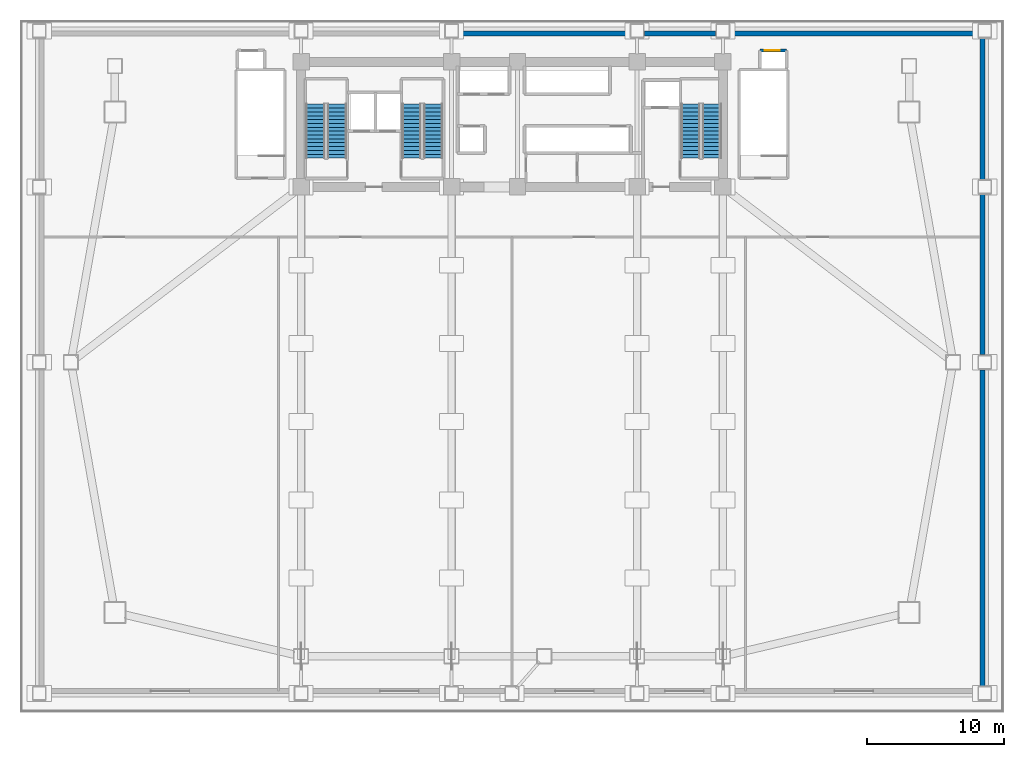
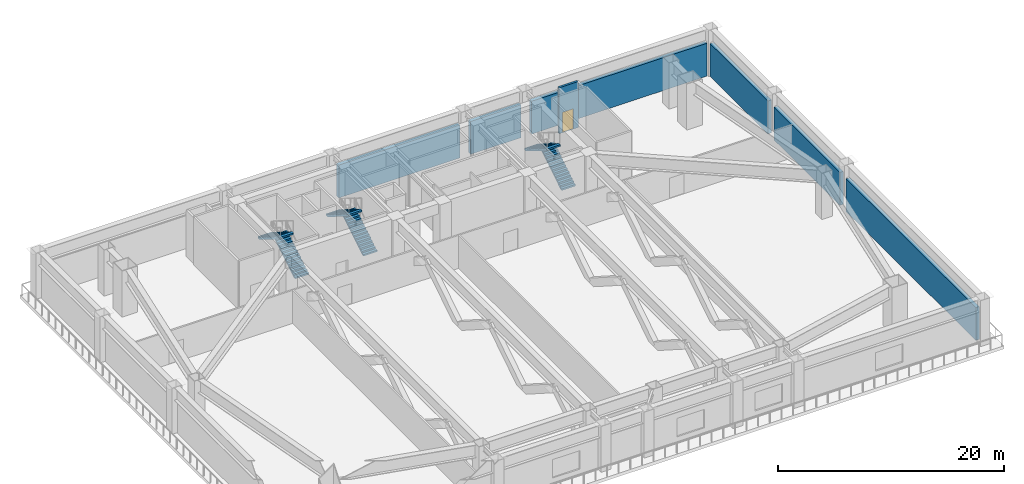
# One storey, part 5 of 8: 7 walls, 6 stair flights, 1 door, 1 opening, 3 elements without a shape of their own.
"""IFC4 building model written with IfcOpenShell, lengths in metres."""

from ifc_helpers import new_model, si_unit, direction, frame, frame_2d, origin, place, context, subcontext, project, spatial, polyline, rectangle, outline, extrude, source, transform, mapped, material, layer, layer_set, type_object, element, fill, aggregate, save


model = new_model("IFC4")

# Units and contexts
model_context = context("Model", 3, precision=1e-05, world=origin(), true_north=direction((0.0, 1.0)))
body_context = subcontext(model_context, "Body", "Model", "MODEL_VIEW")
ifc_project = project(units=[si_unit("LENGTHUNIT", "METRE"), si_unit("AREAUNIT", "SQUARE_METRE"), si_unit("VOLUMEUNIT", "CUBIC_METRE"), si_unit("PLANEANGLEUNIT", "RADIAN"), si_unit("MASSUNIT", "GRAM", prefix="KILO")], contexts=[model_context])

# Site, building, storey
site_placement = place(None, origin())
site = spatial("IfcSite", under=ifc_project, at=site_placement, CompositionType="ELEMENT")
building_placement = place(site_placement, origin())
building = spatial("IfcBuilding", under=site, at=building_placement, Name="Giltprow Tower", CompositionType="ELEMENT")
storey_placement = place(building_placement, frame((0.0, 0.0, 20.199951171875)))
storey = spatial("IfcBuildingStorey", under=building, at=storey_placement, Name="L05", CompositionType="ELEMENT", Elevation=20.199951171875)

# Walls
ifc_material_1 = material(Name="Precast concrete C40", Category="concrete")
ifc_layer_1 = layer(ifc_material_1, 0.360107421875, Name="Precast concrete C40")
ifc_layer_set_1 = layer_set([ifc_layer_1], Name="Precast concrete C40")
wall_type_1 = type_object("IfcWallType", Name="EW-POD-STONE-360", PredefinedType="SOLIDWALL", material=ifc_layer_set_1)
wall_1_placement = place(storey_placement, frame((31.35009765625, 48.6201171875, 0.0), z_axis=(0.0, 0.0, 1.0), x_axis=(1.0, 0.0, 0.0)))
element("IfcWall", 1, at=wall_1_placement, inside=storey, type_object=wall_type_1, Name="L05 North Podium Masonry Wall 3", PredefinedType="SOLIDWALL", context=body_context, shape_type="SweptSolid", body=[
    extrude(rectangle(XDim=12.39990234375, YDim=0.360107421875, at=frame_2d((6.199951171875, 0.0))), origin(), (0.0, 0.0, 1.0), 3.56005859375),
])
wall_2_placement = place(storey_placement, frame((44.85009765625, 48.6201171875, 0.0), z_axis=(0.0, 0.0, 1.0), x_axis=(1.0, 0.0, 0.0)))
element("IfcWall", 2, at=wall_2_placement, inside=storey, type_object=wall_type_1, Name="L05 North Podium Masonry Wall 4", PredefinedType="SOLIDWALL", context=body_context, shape_type="SweptSolid", body=[
    extrude(rectangle(XDim=5.14990234375, YDim=0.360107421875, at=frame_2d((2.574951171875, 0.0))), origin(), (0.0, 0.0, 1.0), 3.56005859375),
])
wall_3_placement = place(storey_placement, frame((51.10009765625, 48.6201171875, 0.0), z_axis=(0.0, 0.0, 1.0), x_axis=(1.0, 0.0, 0.0)))
element("IfcWall", 3, at=wall_3_placement, inside=storey, type_object=wall_type_1, Name="L05 North Podium Masonry Wall 5", PredefinedType="SOLIDWALL", context=body_context, shape_type="SweptSolid", body=[
    extrude(rectangle(XDim=17.949951171875, YDim=0.360107421875, at=frame_2d((8.97509765625, 0.0))), origin(), (0.0, 0.0, 1.0), 3.56005859375),
])
wall_4_placement = place(storey_placement, frame((69.419921875, 1.14990234375, 0.0), z_axis=(0.0, 0.0, 1.0), x_axis=(0.0, 1.0, 0.0)))
element("IfcWall", 4, at=wall_4_placement, inside=storey, type_object=wall_type_1, Name="L05 E Podium Masonry Wall 1", PredefinedType="SOLIDWALL", context=body_context, shape_type="SweptSolid", body=[
    extrude(rectangle(XDim=23.0, YDim=0.360107421875, at=frame_2d((11.5, 0.0))), origin(), (0.0, 0.0, 1.0), 3.56005859375),
])
wall_5_placement = place(storey_placement, frame((69.419921875, 25.25, 0.0), z_axis=(0.0, 0.0, 1.0), x_axis=(0.0, 1.0, 0.0)))
element("IfcWall", 5, at=wall_5_placement, inside=storey, type_object=wall_type_1, Name="L05 E Podium Masonry Wall 2", PredefinedType="SOLIDWALL", context=body_context, shape_type="SweptSolid", body=[
    extrude(rectangle(XDim=11.64990234375, YDim=0.360107421875, at=frame_2d((5.824951171875, 0.0))), origin(), (0.0, 0.0, 1.0), 3.56005859375),
])
wall_6_placement = place(storey_placement, frame((69.419921875, 38.0, 0.0), z_axis=(0.0, 0.0, 1.0), x_axis=(0.0, 1.0, 0.0)))
element("IfcWall", 6, at=wall_6_placement, inside=storey, type_object=wall_type_1, Name="L05 E Podium Masonry Wall 3", PredefinedType="SOLIDWALL", context=body_context, shape_type="SweptSolid", body=[
    extrude(rectangle(XDim=10.25, YDim=0.360107421875, at=frame_2d((5.125, 0.0))), origin(), (0.0, 0.0, 1.0), 3.56005859375),
])

# Wall, opening, door
ifc_material_2 = material(Name="Concrete C40", Category="concrete")
ifc_layer_2 = layer(ifc_material_2, 0.219970703125, Name="Concrete C40")
ifc_layer_set_2 = layer_set([ifc_layer_2], Name="Concrete C40")
wall_type_2 = type_object("IfcWallType", Name="IW-SHAFT-220", PredefinedType="SOLIDWALL", material=ifc_layer_set_2)
wall_7_placement = place(storey_placement, frame((53.22998046875, 47.3798828125, 0.0), z_axis=(0.0, 0.0, 1.0), x_axis=(1.0, 0.0, 0.0)))
wall_7 = element("IfcWall", 7, at=wall_7_placement, inside=storey, type_object=wall_type_2, Name="L05 PL-P2 Front Wall", PredefinedType="SOLIDWALL", context=body_context, shape_type="SweptSolid", body=[
    extrude(rectangle(XDim=1.9599609375, YDim=0.219970703125, at=frame_2d((0.97998046875, 0.0))), origin(), (0.0, 0.0, 1.0), 4.97998046875),
])
opening_placement = place(wall_7_placement, frame((0.35009765625, 0.0, 0.0)))
opening = element("IfcOpeningElement", 8, at=opening_placement, cuts=wall_7, Name="Opening LD-11", PredefinedType="OPENING", context=body_context, shape_type="SweptSolid", body=[
    extrude(rectangle(XDim=1.10009765625, YDim=2.199951171875, at=frame_2d((0.550048828125, 1.10009765625))), frame((0.0, 0.119873046875, 0.0), z_axis=(0.0, -1.0, 0.0), x_axis=(1.0, 0.0, 0.0)), (0.0, 0.0, 1.0), 0.239990234375),
])
ifc_material_3 = material(Name="Stainless steel", Category="steel")
door_type = type_object("IfcDoorType", Name="DR-LIFT-LD1100", OperationType="SLIDING_TO_LEFT", PredefinedType="DOOR", material=ifc_material_3)
shared_shape = source(origin(), body_context, "Body", "SweptSolid", [
    extrude(rectangle(XDim=1.10009765625, YDim=2.199951171875, at=frame_2d((0.550048828125, 1.10009765625))), frame((0.0, 0.02490234375, 0.0), z_axis=(0.0, -1.0, 0.0), x_axis=(1.0, 0.0, 0.0)), (0.0, 0.0, 1.0), 0.050048828125),
])
door_placement = place(opening_placement, origin())
door = element("IfcDoor", 9, at=door_placement, inside=storey, type_object=door_type, Name="L05 PL-P2 Landing Door", OperationType="SLIDING_TO_LEFT", OverallHeight=2.199951171875, OverallWidth=1.10009765625, PredefinedType="DOOR", context=body_context, shape_type="MappedRepresentation", body=[
    mapped(shared_shape, transform((0.0, 0.0, 0.0), x_axis=(1.0, 0.0, 0.0), y_axis=(0.0, 1.0, 0.0), z_axis=(0.0, 0.0, 1.0), scale=1.0)),
])
fill(opening, door)

# Stair, stair flights
stair_type_1 = type_object("IfcStairType", Name="STR-ST-1", PredefinedType="HALF_TURN_STAIR", material=ifc_material_2)
stair_1_placement = place(storey_placement, origin())
stair_1 = element("IfcStair", 10, at=stair_1_placement, inside=storey, type_object=stair_type_1, Name="L05 Core Exit Stair ST-1", PredefinedType="HALF_TURN_STAIR")
stair_flight_type_1 = type_object("IfcStairFlightType", Name="SFL-ST-1", PredefinedType="STRAIGHT", material=ifc_material_2)
stair_flight_1_placement = place(storey_placement, frame((22.4599609375, 39.550048828125, 0.0), z_axis=(0.0, 0.0, 1.0), x_axis=(0.0, 1.0, 0.0)))
stair_flight_1 = element("IfcStairFlight", 11, at=stair_flight_1_placement, type_object=stair_flight_type_1, Name="ST-1 flight 1", NumberOfRisers=15, NumberOfTreads=14, PredefinedType="STRAIGHT", RiserHeight=0.173333333, TreadLength=0.28, context=body_context, shape_type="SweptSolid", body=[
    extrude(outline(polyline([(0.0, 0.0), (0.0, 0.17333984375), (0.280029296875, 0.17333984375), (0.280029296875, 0.3466796875), (0.56005859375, 0.3466796875), (0.56005859375, 0.52001953125), (0.840087890625, 0.52001953125), (0.840087890625, 0.693359375), (1.1201171875, 0.693359375), (1.1201171875, 0.86669921875), (1.39990234375, 0.86669921875), (1.39990234375, 1.0400390625), (1.679931640625, 1.0400390625), (1.679931640625, 1.21337890625), (1.9599609375, 1.21337890625), (1.9599609375, 1.38671875), (2.239990234375, 1.38671875), (2.239990234375, 1.56005859375), (2.52001953125, 1.56005859375), (2.52001953125, 1.7333984375), (2.800048828125, 1.7333984375), (2.800048828125, 1.90673828125), (3.080078125, 1.90673828125), (3.080078125, 2.080078125), (3.360107421875, 2.080078125), (3.360107421875, 2.25341796875), (3.639892578125, 2.25341796875), (3.639892578125, 2.4267578125), (3.919921875, 2.4267578125), (3.919921875, 2.60009765625), (3.919921875, 2.250244140625), (0.284912109375, 0.0), (0.0, 0.0)])), frame((0.0, 0.699951171875, 0.0), z_axis=(0.0, -1.0, 0.0), x_axis=(1.0, 0.0, 0.0)), (0.0, 0.0, 1.0), 1.39990234375),
])
stair_flight_2_placement = place(storey_placement, frame((20.89990234375, 43.469970703125, 2.60009765625), z_axis=(0.0, 0.0, 1.0), x_axis=(0.0, -1.0, 0.0)))
stair_flight_2 = element("IfcStairFlight", 12, at=stair_flight_2_placement, type_object=stair_flight_type_1, Name="ST-1 flight 2", NumberOfRisers=15, NumberOfTreads=14, PredefinedType="STRAIGHT", RiserHeight=0.173333333, TreadLength=0.28, context=body_context, shape_type="SweptSolid", body=[
    extrude(outline(polyline([(0.0, 0.0), (0.0, 0.17333984375), (0.280029296875, 0.17333984375), (0.280029296875, 0.3466796875), (0.56005859375, 0.3466796875), (0.56005859375, 0.52001953125), (0.840087890625, 0.52001953125), (0.840087890625, 0.693359375), (1.1201171875, 0.693359375), (1.1201171875, 0.86669921875), (1.39990234375, 0.86669921875), (1.39990234375, 1.0400390625), (1.679931640625, 1.0400390625), (1.679931640625, 1.21337890625), (1.9599609375, 1.21337890625), (1.9599609375, 1.38671875), (2.239990234375, 1.38671875), (2.239990234375, 1.56005859375), (2.52001953125, 1.56005859375), (2.52001953125, 1.7333984375), (2.800048828125, 1.7333984375), (2.800048828125, 1.90673828125), (3.080078125, 1.90673828125), (3.080078125, 2.080078125), (3.360107421875, 2.080078125), (3.360107421875, 2.25341796875), (3.639892578125, 2.25341796875), (3.639892578125, 2.4267578125), (3.919921875, 2.4267578125), (3.919921875, 2.60009765625), (3.919921875, 2.250244140625), (0.284912109375, 0.0), (0.0, 0.0)])), frame((0.0, 0.699951171875, 0.0), z_axis=(0.0, -1.0, 0.0), x_axis=(1.0, 0.0, 0.0)), (0.0, 0.0, 1.0), 1.39990234375),
])
aggregate(stair_1, [stair_flight_1, stair_flight_2])

stair_type_2 = type_object("IfcStairType", Name="STR-ST-2", PredefinedType="HALF_TURN_STAIR", material=ifc_material_2)
stair_2_placement = place(storey_placement, origin())
stair_2 = element("IfcStair", 13, at=stair_2_placement, inside=storey, type_object=stair_type_2, Name="L05 Core Exit Stair ST-2", PredefinedType="HALF_TURN_STAIR")
stair_flight_type_2 = type_object("IfcStairFlightType", Name="SFL-ST-2", PredefinedType="STRAIGHT", material=ifc_material_2)
stair_flight_3_placement = place(storey_placement, frame((29.4599609375, 39.550048828125, 0.0), z_axis=(0.0, 0.0, 1.0), x_axis=(0.0, 1.0, 0.0)))
stair_flight_3 = element("IfcStairFlight", 14, at=stair_flight_3_placement, type_object=stair_flight_type_2, Name="ST-2 flight 1", NumberOfRisers=15, NumberOfTreads=14, PredefinedType="STRAIGHT", RiserHeight=0.173333333, TreadLength=0.28, context=body_context, shape_type="SweptSolid", body=[
    extrude(outline(polyline([(0.0, 0.0), (0.0, 0.17333984375), (0.280029296875, 0.17333984375), (0.280029296875, 0.3466796875), (0.56005859375, 0.3466796875), (0.56005859375, 0.52001953125), (0.840087890625, 0.52001953125), (0.840087890625, 0.693359375), (1.1201171875, 0.693359375), (1.1201171875, 0.86669921875), (1.39990234375, 0.86669921875), (1.39990234375, 1.0400390625), (1.679931640625, 1.0400390625), (1.679931640625, 1.21337890625), (1.9599609375, 1.21337890625), (1.9599609375, 1.38671875), (2.239990234375, 1.38671875), (2.239990234375, 1.56005859375), (2.52001953125, 1.56005859375), (2.52001953125, 1.7333984375), (2.800048828125, 1.7333984375), (2.800048828125, 1.90673828125), (3.080078125, 1.90673828125), (3.080078125, 2.080078125), (3.360107421875, 2.080078125), (3.360107421875, 2.25341796875), (3.639892578125, 2.25341796875), (3.639892578125, 2.4267578125), (3.919921875, 2.4267578125), (3.919921875, 2.60009765625), (3.919921875, 2.250244140625), (0.284912109375, 0.0), (0.0, 0.0)])), frame((0.0, 0.699951171875, 0.0), z_axis=(0.0, -1.0, 0.0), x_axis=(1.0, 0.0, 0.0)), (0.0, 0.0, 1.0), 1.39990234375),
])
stair_flight_4_placement = place(storey_placement, frame((27.89990234375, 43.469970703125, 2.60009765625), z_axis=(0.0, 0.0, 1.0), x_axis=(0.0, -1.0, 0.0)))
stair_flight_4 = element("IfcStairFlight", 15, at=stair_flight_4_placement, type_object=stair_flight_type_2, Name="ST-2 flight 2", NumberOfRisers=15, NumberOfTreads=14, PredefinedType="STRAIGHT", RiserHeight=0.173333333, TreadLength=0.28, context=body_context, shape_type="SweptSolid", body=[
    extrude(outline(polyline([(0.0, 0.0), (0.0, 0.17333984375), (0.280029296875, 0.17333984375), (0.280029296875, 0.3466796875), (0.56005859375, 0.3466796875), (0.56005859375, 0.52001953125), (0.840087890625, 0.52001953125), (0.840087890625, 0.693359375), (1.1201171875, 0.693359375), (1.1201171875, 0.86669921875), (1.39990234375, 0.86669921875), (1.39990234375, 1.0400390625), (1.679931640625, 1.0400390625), (1.679931640625, 1.21337890625), (1.9599609375, 1.21337890625), (1.9599609375, 1.38671875), (2.239990234375, 1.38671875), (2.239990234375, 1.56005859375), (2.52001953125, 1.56005859375), (2.52001953125, 1.7333984375), (2.800048828125, 1.7333984375), (2.800048828125, 1.90673828125), (3.080078125, 1.90673828125), (3.080078125, 2.080078125), (3.360107421875, 2.080078125), (3.360107421875, 2.25341796875), (3.639892578125, 2.25341796875), (3.639892578125, 2.4267578125), (3.919921875, 2.4267578125), (3.919921875, 2.60009765625), (3.919921875, 2.250244140625), (0.284912109375, 0.0), (0.0, 0.0)])), frame((0.0, 0.699951171875, 0.0), z_axis=(0.0, -1.0, 0.0), x_axis=(1.0, 0.0, 0.0)), (0.0, 0.0, 1.0), 1.39990234375),
])
aggregate(stair_2, [stair_flight_3, stair_flight_4])

stair_type_3 = type_object("IfcStairType", Name="STR-ST-3", PredefinedType="HALF_TURN_STAIR", material=ifc_material_2)
stair_3_placement = place(storey_placement, origin())
stair_3 = element("IfcStair", 16, at=stair_3_placement, inside=storey, type_object=stair_type_3, Name="L05 Core Exit Stair ST-3", PredefinedType="HALF_TURN_STAIR")
stair_flight_type_3 = type_object("IfcStairFlightType", Name="SFL-ST-3", PredefinedType="STRAIGHT", material=ifc_material_2)
stair_flight_5_placement = place(storey_placement, frame((49.760009765625, 39.550048828125, 0.0), z_axis=(0.0, 0.0, 1.0), x_axis=(0.0, 1.0, 0.0)))
stair_flight_5 = element("IfcStairFlight", 17, at=stair_flight_5_placement, type_object=stair_flight_type_3, Name="ST-3 flight 1", NumberOfRisers=15, NumberOfTreads=14, PredefinedType="STRAIGHT", RiserHeight=0.173333333, TreadLength=0.28, context=body_context, shape_type="SweptSolid", body=[
    extrude(outline(polyline([(0.0, 0.0), (0.0, 0.17333984375), (0.280029296875, 0.17333984375), (0.280029296875, 0.3466796875), (0.56005859375, 0.3466796875), (0.56005859375, 0.52001953125), (0.840087890625, 0.52001953125), (0.840087890625, 0.693359375), (1.1201171875, 0.693359375), (1.1201171875, 0.86669921875), (1.39990234375, 0.86669921875), (1.39990234375, 1.0400390625), (1.679931640625, 1.0400390625), (1.679931640625, 1.21337890625), (1.9599609375, 1.21337890625), (1.9599609375, 1.38671875), (2.239990234375, 1.38671875), (2.239990234375, 1.56005859375), (2.52001953125, 1.56005859375), (2.52001953125, 1.7333984375), (2.800048828125, 1.7333984375), (2.800048828125, 1.90673828125), (3.080078125, 1.90673828125), (3.080078125, 2.080078125), (3.360107421875, 2.080078125), (3.360107421875, 2.25341796875), (3.639892578125, 2.25341796875), (3.639892578125, 2.4267578125), (3.919921875, 2.4267578125), (3.919921875, 2.60009765625), (3.919921875, 2.250244140625), (0.284912109375, 0.0), (0.0, 0.0)])), frame((0.0, 0.699951171875, 0.0), z_axis=(0.0, -1.0, 0.0), x_axis=(1.0, 0.0, 0.0)), (0.0, 0.0, 1.0), 1.39990234375),
])
stair_flight_6_placement = place(storey_placement, frame((48.199951171875, 43.469970703125, 2.60009765625), z_axis=(0.0, 0.0, 1.0), x_axis=(0.0, -1.0, 0.0)))
stair_flight_6 = element("IfcStairFlight", 18, at=stair_flight_6_placement, type_object=stair_flight_type_3, Name="ST-3 flight 2", NumberOfRisers=15, NumberOfTreads=14, PredefinedType="STRAIGHT", RiserHeight=0.173333333, TreadLength=0.28, context=body_context, shape_type="SweptSolid", body=[
    extrude(outline(polyline([(0.0, 0.0), (0.0, 0.17333984375), (0.280029296875, 0.17333984375), (0.280029296875, 0.3466796875), (0.56005859375, 0.3466796875), (0.56005859375, 0.52001953125), (0.840087890625, 0.52001953125), (0.840087890625, 0.693359375), (1.1201171875, 0.693359375), (1.1201171875, 0.86669921875), (1.39990234375, 0.86669921875), (1.39990234375, 1.0400390625), (1.679931640625, 1.0400390625), (1.679931640625, 1.21337890625), (1.9599609375, 1.21337890625), (1.9599609375, 1.38671875), (2.239990234375, 1.38671875), (2.239990234375, 1.56005859375), (2.52001953125, 1.56005859375), (2.52001953125, 1.7333984375), (2.800048828125, 1.7333984375), (2.800048828125, 1.90673828125), (3.080078125, 1.90673828125), (3.080078125, 2.080078125), (3.360107421875, 2.080078125), (3.360107421875, 2.25341796875), (3.639892578125, 2.25341796875), (3.639892578125, 2.4267578125), (3.919921875, 2.4267578125), (3.919921875, 2.60009765625), (3.919921875, 2.250244140625), (0.284912109375, 0.0), (0.0, 0.0)])), frame((0.0, 0.699951171875, 0.0), z_axis=(0.0, -1.0, 0.0), x_axis=(1.0, 0.0, 0.0)), (0.0, 0.0, 1.0), 1.39990234375),
])
aggregate(stair_3, [stair_flight_5, stair_flight_6])

save(model, "model.ifc")
